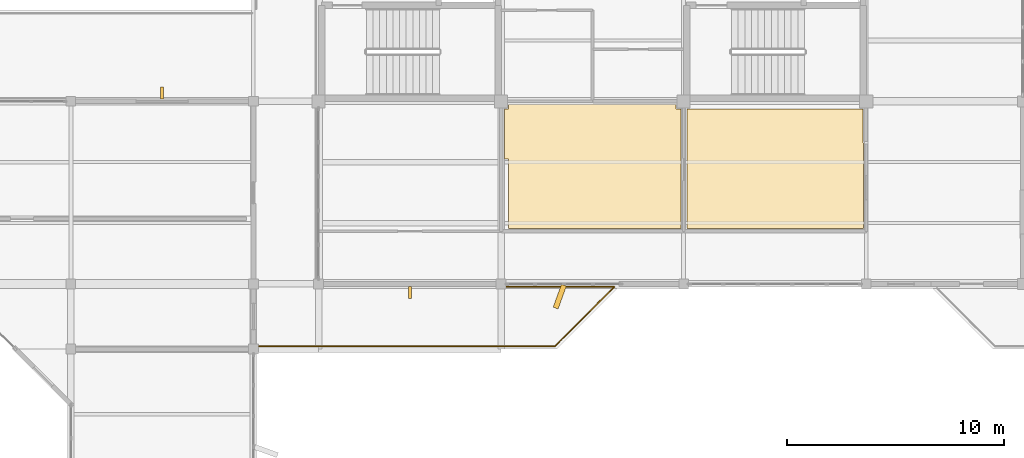
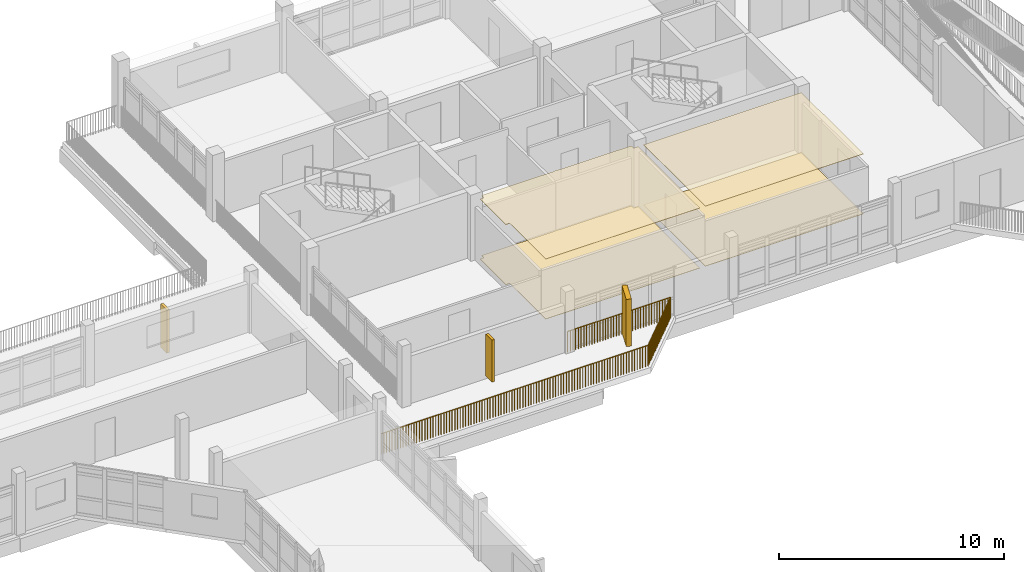
# One storey, part 26 of 33: 5 coverings, 3 railings, 2 shading devices.
"""IFC4 building model written with IfcOpenShell, lengths in metres."""

from ifc_helpers import new_model, si_unit, direction, frame, origin, origin_2d, place, context, subcontext, project, spatial, polyline, rectangle, circle, outline, extrude, material, layer, layer_set, type_object, element, save


model = new_model("IFC4")

# Units and contexts
model_context = context("Model", 3, precision=1e-05, world=origin(), true_north=direction((0.0, 1.0)))
body_context = subcontext(model_context, "Body", "Model", "MODEL_VIEW")
ifc_project = project(units=[si_unit("LENGTHUNIT", "METRE"), si_unit("AREAUNIT", "SQUARE_METRE"), si_unit("VOLUMEUNIT", "CUBIC_METRE"), si_unit("PLANEANGLEUNIT", "RADIAN"), si_unit("MASSUNIT", "GRAM", prefix="KILO")], contexts=[model_context])

# Site, building, storey
site_placement = place(None, origin())
site = spatial("IfcSite", under=ifc_project, at=site_placement, CompositionType="ELEMENT")
building_placement = place(site_placement, origin())
building = spatial("IfcBuilding", under=site, at=building_placement, Name="Vanh Quang Courtyard School", CompositionType="ELEMENT")
storey_placement = place(building_placement, frame((0.0, 0.0, 18.60009765625)))
storey = spatial("IfcBuildingStorey", under=building, at=storey_placement, Name="L05", CompositionType="ELEMENT", Elevation=18.60009765625)

# Coverings
ifc_material_1 = material(Name="Perforated mineral-fibre acoustic ceiling board")
ifc_layer_1 = layer(ifc_material_1, 0.02490234375)
ifc_layer_set_1 = layer_set([ifc_layer_1], Name="Perforated mineral-fibre acoustic ceiling board")
covering_type_1 = type_object("IfcCoveringType", Name="COV-CEIL-ACOUSTIC", PredefinedType="CEILING", material=ifc_layer_set_1)
covering_1_placement = place(storey_placement, frame((0.0, 0.0, 3.2548828125)))
element("IfcCovering", 1, at=covering_1_placement, inside=storey, type_object=covering_type_1, Name="Covering CV-CL1 (L05)", PredefinedType="CEILING", context=body_context, shape_type="SweptSolid", body=[
    extrude(outline(polyline([(85.949951171875, 79.449951171875), (86.14990234375, 79.449951171875), (86.14990234375, 79.64990234375), (89.859130859375, 79.64990234375), (89.965576171875, 79.669921875), (89.966552734375, 79.669921875), (89.96728515625, 79.669921875), (90.052490234375, 79.669921875), (90.053466796875, 79.669921875), (90.054443359375, 79.669921875), (90.160888671875, 79.64990234375), (93.85009765625, 79.64990234375), (93.85009765625, 79.449951171875), (94.070068359375, 79.449951171875), (94.070068359375, 73.9599609375), (94.070068359375, 73.958984375), (94.06982421875, 73.9580078125), (94.069580078125, 73.95703125), (94.069091796875, 73.956298828125), (94.06884765625, 73.955322265625), (94.068359375, 73.954345703125), (94.067626953125, 73.95361328125), (94.067138671875, 73.952880859375), (94.06640625, 73.952392578125), (94.065673828125, 73.95166015625), (94.064697265625, 73.951171875), (94.063720703125, 73.95068359375), (94.06298828125, 73.950439453125), (94.06201171875, 73.9501953125), (94.06103515625, 73.949951171875), (94.06005859375, 73.949951171875), (86.14990234375, 73.949951171875), (86.14990234375, 77.14990234375), (85.949951171875, 77.14990234375), (85.949951171875, 79.449951171875)])), origin(), (0.0, 0.0, 1.0), 0.02490234375),
])
covering_2_placement = place(storey_placement, frame((0.0, 0.0, 3.2548828125)))
element("IfcCovering", 2, at=covering_2_placement, inside=storey, type_object=covering_type_1, Name="Covering CV-CL1 (L05)", PredefinedType="CEILING", context=body_context, shape_type="SweptSolid", body=[
    extrude(outline(polyline([(94.34912109375, 79.449951171875), (102.449951171875, 79.449951171875), (102.449951171875, 77.94091796875), (102.4697265625, 77.83447265625), (102.469970703125, 77.83349609375), (102.469970703125, 77.83251953125), (102.469970703125, 73.9599609375), (102.469970703125, 73.958984375), (102.4697265625, 73.9580078125), (102.469482421875, 73.95703125), (102.46923828125, 73.956298828125), (102.46875, 73.955322265625), (102.46826171875, 73.954345703125), (102.4677734375, 73.95361328125), (102.467041015625, 73.952880859375), (102.46630859375, 73.952392578125), (102.465576171875, 73.95166015625), (102.464599609375, 73.951171875), (102.4638671875, 73.95068359375), (102.462890625, 73.950439453125), (102.4619140625, 73.9501953125), (102.4609375, 73.949951171875), (102.4599609375, 73.949951171875), (94.360107421875, 73.949951171875), (94.35888671875, 73.949951171875), (94.35791015625, 73.9501953125), (94.357177734375, 73.950439453125), (94.356201171875, 73.95068359375), (94.355224609375, 73.951171875), (94.3544921875, 73.95166015625), (94.353759765625, 73.952392578125), (94.352783203125, 73.952880859375), (94.352294921875, 73.95361328125), (94.351806640625, 73.954345703125), (94.351318359375, 73.955322265625), (94.350830078125, 73.956298828125), (94.350341796875, 73.95703125), (94.35009765625, 73.9580078125), (94.35009765625, 73.958984375), (94.35009765625, 73.9599609375), (94.34912109375, 79.449951171875)])), origin(), (0.0, 0.0, 1.0), 0.02490234375),
])
ifc_material_2 = material(Name="Polished cementitious terrazzo tile", Category="concrete")
ifc_layer_2 = layer(ifc_material_2, 0.02001953125)
ifc_layer_set_2 = layer_set([ifc_layer_2], Name="Polished cementitious terrazzo tile")
covering_type_2 = type_object("IfcCoveringType", Name="COV-FLR-TERRAZZO", PredefinedType="FLOORING", material=ifc_layer_set_2)
covering_3_placement = place(storey_placement, origin())
element("IfcCovering", 3, at=covering_3_placement, inside=storey, type_object=covering_type_2, Name="Covering CV-FL1 (L05)", PredefinedType="FLOORING", context=body_context, shape_type="SweptSolid", body=[
    extrude(outline(polyline([(85.949951171875, 79.449951171875), (86.14990234375, 79.449951171875), (86.14990234375, 79.64990234375), (89.859130859375, 79.64990234375), (89.965576171875, 79.669921875), (89.966552734375, 79.669921875), (89.96728515625, 79.669921875), (90.052490234375, 79.669921875), (90.053466796875, 79.669921875), (90.054443359375, 79.669921875), (90.160888671875, 79.64990234375), (93.85009765625, 79.64990234375), (93.85009765625, 79.449951171875), (94.070068359375, 79.449951171875), (94.070068359375, 73.9599609375), (94.070068359375, 73.958984375), (94.06982421875, 73.9580078125), (94.069580078125, 73.95703125), (94.069091796875, 73.956298828125), (94.06884765625, 73.955322265625), (94.068359375, 73.954345703125), (94.067626953125, 73.95361328125), (94.067138671875, 73.952880859375), (94.06640625, 73.952392578125), (94.065673828125, 73.95166015625), (94.064697265625, 73.951171875), (94.063720703125, 73.95068359375), (94.06298828125, 73.950439453125), (94.06201171875, 73.9501953125), (94.06103515625, 73.949951171875), (94.06005859375, 73.949951171875), (86.14990234375, 73.949951171875), (86.14990234375, 77.14990234375), (85.949951171875, 77.14990234375), (85.949951171875, 79.449951171875)])), origin(), (0.0, 0.0, 1.0), 0.02001953125),
])
covering_4_placement = place(storey_placement, origin())
element("IfcCovering", 4, at=covering_4_placement, inside=storey, type_object=covering_type_2, Name="Covering CV-FL1 (L05)", PredefinedType="FLOORING", context=body_context, shape_type="SweptSolid", body=[
    extrude(outline(polyline([(94.34912109375, 79.449951171875), (102.449951171875, 79.449951171875), (102.449951171875, 77.94091796875), (102.4697265625, 77.83447265625), (102.469970703125, 77.83349609375), (102.469970703125, 77.83251953125), (102.469970703125, 73.9599609375), (102.469970703125, 73.958984375), (102.4697265625, 73.9580078125), (102.469482421875, 73.95703125), (102.46923828125, 73.956298828125), (102.46875, 73.955322265625), (102.46826171875, 73.954345703125), (102.4677734375, 73.95361328125), (102.467041015625, 73.952880859375), (102.46630859375, 73.952392578125), (102.465576171875, 73.95166015625), (102.464599609375, 73.951171875), (102.4638671875, 73.95068359375), (102.462890625, 73.950439453125), (102.4619140625, 73.9501953125), (102.4609375, 73.949951171875), (102.4599609375, 73.949951171875), (94.360107421875, 73.949951171875), (94.35888671875, 73.949951171875), (94.35791015625, 73.9501953125), (94.357177734375, 73.950439453125), (94.356201171875, 73.95068359375), (94.355224609375, 73.951171875), (94.3544921875, 73.95166015625), (94.353759765625, 73.952392578125), (94.352783203125, 73.952880859375), (94.352294921875, 73.95361328125), (94.351806640625, 73.954345703125), (94.351318359375, 73.955322265625), (94.350830078125, 73.956298828125), (94.350341796875, 73.95703125), (94.35009765625, 73.9580078125), (94.35009765625, 73.958984375), (94.35009765625, 73.9599609375), (94.34912109375, 79.449951171875)])), origin(), (0.0, 0.0, 1.0), 0.02001953125),
])
ifc_material_3 = material(Name="Board-marked precast concrete C40/50", Category="concrete")
ifc_layer_3 = layer(ifc_material_3, 0.239990234375)
ifc_layer_set_3 = layer_set([ifc_layer_3], Name="Board-marked precast concrete C40/50")
covering_type_3 = type_object("IfcCoveringType", Name="COV-HOOD-CONC", PredefinedType="CLADDING", material=ifc_layer_set_3)
covering_5_placement = place(storey_placement, frame((88.49853515625, 70.81494140625, -0.000244140625), z_axis=(0.0, 0.0, 1.0), x_axis=(-0.340379550213, -0.94028812701, 0.0)))
element("IfcCovering", 5, at=covering_5_placement, inside=storey, type_object=covering_type_3, Name="Covering CH-01 (L05)", PredefinedType="CLADDING", context=body_context, shape_type="SweptSolid", body=[
    extrude(rectangle(XDim=1.11669921875, YDim=0.239990234375, at=origin_2d()), origin(), (0.0, 0.0, 1.0), 2.56005859375),
])

# Railings
ifc_material_4 = material(Name="Galvanised painted steel EN 10025-2 S355J2", Category="steel")
railing_type = type_object("IfcRailingType", Name="RAIL-GUARD-1150", PredefinedType="BALUSTRADE", material=ifc_material_4)
railing_1_placement = place(storey_placement, frame((85.7197265625, 71.260009765625, 0.0)))
element("IfcRailing", 6, at=railing_1_placement, inside=storey, type_object=railing_type, Name="Railing GR-01 (L05)", PredefinedType="BALUSTRADE", context=body_context, shape_type="SweptSolid", body=[
    extrude(circle(Radius=0.02392578125, at=origin_2d()), frame((0.0, 0.0, 1.1259765625), z_axis=(1.0, 0.0, 0.0), x_axis=(0.0, 1.0, 0.0)), (0.0, 0.0, 1.0), 5.28515625),
    extrude(circle(Radius=0.02099609375, at=origin_2d()), origin(), (0.0, 0.0, 1.0), 1.101806640625),
    extrude(circle(Radius=0.02099609375, at=origin_2d()), frame((0.13916015625, 0.0, 0.0)), (0.0, 0.0, 1.0), 1.101806640625),
    extrude(circle(Radius=0.02099609375, at=origin_2d()), frame((0.278076171875, 0.0, 0.0)), (0.0, 0.0, 1.0), 1.101806640625),
    extrude(circle(Radius=0.02099609375, at=origin_2d()), frame((0.417236328125, 0.0, 0.0)), (0.0, 0.0, 1.0), 1.101806640625),
    extrude(circle(Radius=0.02099609375, at=origin_2d()), frame((0.556396484375, 0.0, 0.0)), (0.0, 0.0, 1.0), 1.101806640625),
    extrude(circle(Radius=0.02099609375, at=origin_2d()), frame((0.6953125, 0.0, 0.0)), (0.0, 0.0, 1.0), 1.101806640625),
    extrude(circle(Radius=0.02099609375, at=origin_2d()), frame((0.83447265625, 0.0, 0.0)), (0.0, 0.0, 1.0), 1.101806640625),
    extrude(circle(Radius=0.02099609375, at=origin_2d()), frame((0.9736328125, 0.0, 0.0)), (0.0, 0.0, 1.0), 1.101806640625),
    extrude(circle(Radius=0.02099609375, at=origin_2d()), frame((1.112548828125, 0.0, 0.0)), (0.0, 0.0, 1.0), 1.101806640625),
    extrude(circle(Radius=0.02099609375, at=origin_2d()), frame((1.251708984375, 0.0, 0.0)), (0.0, 0.0, 1.0), 1.101806640625),
    extrude(circle(Radius=0.02099609375, at=origin_2d()), frame((1.390869140625, 0.0, 0.0)), (0.0, 0.0, 1.0), 1.101806640625),
    extrude(circle(Radius=0.02099609375, at=origin_2d()), frame((1.530029296875, 0.0, 0.0)), (0.0, 0.0, 1.0), 1.101806640625),
    extrude(circle(Radius=0.02099609375, at=origin_2d()), frame((1.6689453125, 0.0, 0.0)), (0.0, 0.0, 1.0), 1.101806640625),
    extrude(circle(Radius=0.02099609375, at=origin_2d()), frame((1.80810546875, 0.0, 0.0)), (0.0, 0.0, 1.0), 1.101806640625),
    extrude(circle(Radius=0.02099609375, at=origin_2d()), frame((1.947265625, 0.0, 0.0)), (0.0, 0.0, 1.0), 1.101806640625),
    extrude(circle(Radius=0.02099609375, at=origin_2d()), frame((2.086181640625, 0.0, 0.0)), (0.0, 0.0, 1.0), 1.101806640625),
    extrude(circle(Radius=0.02099609375, at=origin_2d()), frame((2.225341796875, 0.0, 0.0)), (0.0, 0.0, 1.0), 1.101806640625),
    extrude(circle(Radius=0.02099609375, at=origin_2d()), frame((2.364501953125, 0.0, 0.0)), (0.0, 0.0, 1.0), 1.101806640625),
    extrude(circle(Radius=0.02099609375, at=origin_2d()), frame((2.50341796875, 0.0, 0.0)), (0.0, 0.0, 1.0), 1.101806640625),
    extrude(circle(Radius=0.02099609375, at=origin_2d()), frame((2.642578125, 0.0, 0.0)), (0.0, 0.0, 1.0), 1.101806640625),
    extrude(circle(Radius=0.02099609375, at=origin_2d()), frame((2.78173828125, 0.0, 0.0)), (0.0, 0.0, 1.0), 1.101806640625),
    extrude(circle(Radius=0.02099609375, at=origin_2d()), frame((2.920654296875, 0.0, 0.0)), (0.0, 0.0, 1.0), 1.101806640625),
    extrude(circle(Radius=0.02099609375, at=origin_2d()), frame((3.059814453125, 0.0, 0.0)), (0.0, 0.0, 1.0), 1.101806640625),
    extrude(circle(Radius=0.02099609375, at=origin_2d()), frame((3.198974609375, 0.0, 0.0)), (0.0, 0.0, 1.0), 1.101806640625),
    extrude(circle(Radius=0.02099609375, at=origin_2d()), frame((3.337890625, 0.0, 0.0)), (0.0, 0.0, 1.0), 1.101806640625),
    extrude(circle(Radius=0.02099609375, at=origin_2d()), frame((3.47705078125, 0.0, 0.0)), (0.0, 0.0, 1.0), 1.101806640625),
    extrude(circle(Radius=0.02099609375, at=origin_2d()), frame((3.6162109375, 0.0, 0.0)), (0.0, 0.0, 1.0), 1.101806640625),
    extrude(circle(Radius=0.02099609375, at=origin_2d()), frame((3.755126953125, 0.0, 0.0)), (0.0, 0.0, 1.0), 1.101806640625),
    extrude(circle(Radius=0.02099609375, at=origin_2d()), frame((3.894287109375, 0.0, 0.0)), (0.0, 0.0, 1.0), 1.101806640625),
    extrude(circle(Radius=0.02099609375, at=origin_2d()), frame((4.033447265625, 0.0, 0.0)), (0.0, 0.0, 1.0), 1.101806640625),
    extrude(circle(Radius=0.02099609375, at=origin_2d()), frame((4.172607421875, 0.0, 0.0)), (0.0, 0.0, 1.0), 1.101806640625),
    extrude(circle(Radius=0.02099609375, at=origin_2d()), frame((4.3115234375, 0.0, 0.0)), (0.0, 0.0, 1.0), 1.101806640625),
    extrude(circle(Radius=0.02099609375, at=origin_2d()), frame((4.45068359375, 0.0, 0.0)), (0.0, 0.0, 1.0), 1.101806640625),
    extrude(circle(Radius=0.02099609375, at=origin_2d()), frame((4.58984375, 0.0, 0.0)), (0.0, 0.0, 1.0), 1.101806640625),
    extrude(circle(Radius=0.02099609375, at=origin_2d()), frame((4.728759765625, 0.0, 0.0)), (0.0, 0.0, 1.0), 1.101806640625),
    extrude(circle(Radius=0.02099609375, at=origin_2d()), frame((4.867919921875, 0.0, 0.0)), (0.0, 0.0, 1.0), 1.101806640625),
    extrude(circle(Radius=0.02099609375, at=origin_2d()), frame((5.007080078125, 0.0, 0.0)), (0.0, 0.0, 1.0), 1.101806640625),
    extrude(circle(Radius=0.02099609375, at=origin_2d()), frame((5.14599609375, 0.0, 0.0)), (0.0, 0.0, 1.0), 1.101806640625),
    extrude(circle(Radius=0.02099609375, at=origin_2d()), frame((5.28515625, 0.0, 0.0)), (0.0, 0.0, 1.0), 1.101806640625),
])
railing_2_placement = place(storey_placement, frame((91.0048828125, 71.260009765625, 0.0)))
element("IfcRailing", 7, at=railing_2_placement, inside=storey, type_object=railing_type, Name="Railing GR-01 (L05)", PredefinedType="BALUSTRADE", context=body_context, shape_type="SweptSolid", body=[
    extrude(circle(Radius=0.02392578125, at=origin_2d()), frame((0.0, 0.0, 1.1259765625), z_axis=(-0.706979809241, -0.707233730336, 0.0), x_axis=(0.707233730336, -0.706979809241, 0.0)), (0.0, 0.0, 1.0), 3.845947265625),
    extrude(circle(Radius=0.02099609375, at=origin_2d()), origin(), (0.0, 0.0, 1.0), 1.101806640625),
    extrude(circle(Radius=0.02099609375, at=origin_2d()), frame((-0.09716796875, -0.09716796875, 0.0)), (0.0, 0.0, 1.0), 1.101806640625),
    extrude(circle(Radius=0.02099609375, at=origin_2d()), frame((-0.1943359375, -0.1943359375, 0.0)), (0.0, 0.0, 1.0), 1.101806640625),
    extrude(circle(Radius=0.02099609375, at=origin_2d()), frame((-0.291259765625, -0.29150390625, 0.0)), (0.0, 0.0, 1.0), 1.101806640625),
    extrude(circle(Radius=0.02099609375, at=origin_2d()), frame((-0.388427734375, -0.388671875, 0.0)), (0.0, 0.0, 1.0), 1.101806640625),
    extrude(circle(Radius=0.02099609375, at=origin_2d()), frame((-0.485595703125, -0.485595703125, 0.0)), (0.0, 0.0, 1.0), 1.101806640625),
    extrude(circle(Radius=0.02099609375, at=origin_2d()), frame((-0.58251953125, -0.582763671875, 0.0)), (0.0, 0.0, 1.0), 1.101806640625),
    extrude(circle(Radius=0.02099609375, at=origin_2d()), frame((-0.6796875, -0.679931640625, 0.0)), (0.0, 0.0, 1.0), 1.101806640625),
    extrude(circle(Radius=0.02099609375, at=origin_2d()), frame((-0.77685546875, -0.777099609375, 0.0)), (0.0, 0.0, 1.0), 1.101806640625),
    extrude(circle(Radius=0.02099609375, at=origin_2d()), frame((-0.8740234375, -0.874267578125, 0.0)), (0.0, 0.0, 1.0), 1.101806640625),
    extrude(circle(Radius=0.02099609375, at=origin_2d()), frame((-0.97119140625, -0.971435546875, 0.0)), (0.0, 0.0, 1.0), 1.101806640625),
    extrude(circle(Radius=0.02099609375, at=origin_2d()), frame((-1.068115234375, -1.068603515625, 0.0)), (0.0, 0.0, 1.0), 1.101806640625),
    extrude(circle(Radius=0.02099609375, at=origin_2d()), frame((-1.165283203125, -1.165771484375, 0.0)), (0.0, 0.0, 1.0), 1.101806640625),
    extrude(circle(Radius=0.02099609375, at=origin_2d()), frame((-1.262451171875, -1.262939453125, 0.0)), (0.0, 0.0, 1.0), 1.101806640625),
    extrude(circle(Radius=0.02099609375, at=origin_2d()), frame((-1.359375, -1.35986328125, 0.0)), (0.0, 0.0, 1.0), 1.101806640625),
    extrude(circle(Radius=0.02099609375, at=origin_2d()), frame((-1.45654296875, -1.45703125, 0.0)), (0.0, 0.0, 1.0), 1.101806640625),
    extrude(circle(Radius=0.02099609375, at=origin_2d()), frame((-1.5537109375, -1.55419921875, 0.0)), (0.0, 0.0, 1.0), 1.101806640625),
    extrude(circle(Radius=0.02099609375, at=origin_2d()), frame((-1.65087890625, -1.6513671875, 0.0)), (0.0, 0.0, 1.0), 1.101806640625),
    extrude(circle(Radius=0.02099609375, at=origin_2d()), frame((-1.748046875, -1.74853515625, 0.0)), (0.0, 0.0, 1.0), 1.101806640625),
    extrude(circle(Radius=0.02099609375, at=origin_2d()), frame((-1.844970703125, -1.845703125, 0.0)), (0.0, 0.0, 1.0), 1.101806640625),
    extrude(circle(Radius=0.02099609375, at=origin_2d()), frame((-1.942138671875, -1.94287109375, 0.0)), (0.0, 0.0, 1.0), 1.101806640625),
    extrude(circle(Radius=0.02099609375, at=origin_2d()), frame((-2.039306640625, -2.0400390625, 0.0)), (0.0, 0.0, 1.0), 1.101806640625),
    extrude(circle(Radius=0.02099609375, at=origin_2d()), frame((-2.13623046875, -2.13720703125, 0.0)), (0.0, 0.0, 1.0), 1.101806640625),
    extrude(circle(Radius=0.02099609375, at=origin_2d()), frame((-2.2333984375, -2.234375, 0.0)), (0.0, 0.0, 1.0), 1.101806640625),
    extrude(circle(Radius=0.02099609375, at=origin_2d()), frame((-2.33056640625, -2.331298828125, 0.0)), (0.0, 0.0, 1.0), 1.101806640625),
    extrude(circle(Radius=0.02099609375, at=origin_2d()), frame((-2.427734375, -2.428466796875, 0.0)), (0.0, 0.0, 1.0), 1.101806640625),
    extrude(circle(Radius=0.02099609375, at=origin_2d()), frame((-2.52490234375, -2.525634765625, 0.0)), (0.0, 0.0, 1.0), 1.101806640625),
    extrude(circle(Radius=0.02099609375, at=origin_2d()), frame((-2.621826171875, -2.622802734375, 0.0)), (0.0, 0.0, 1.0), 1.101806640625),
    extrude(circle(Radius=0.02099609375, at=origin_2d()), frame((-2.718994140625, -2.719970703125, 0.0)), (0.0, 0.0, 1.0), 1.101806640625),
])
railing_3_placement = place(storey_placement, frame((88.285888671875, 68.5400390625, 0.0)))
element("IfcRailing", 8, at=railing_3_placement, inside=storey, type_object=railing_type, Name="Railing GR-01 (L05)", PredefinedType="BALUSTRADE", context=body_context, shape_type="SweptSolid", body=[
    extrude(circle(Radius=0.02392578125, at=origin_2d()), frame((0.0, 0.0, 1.1259765625), z_axis=(-1.0, 0.0, 0.0), x_axis=(0.0, -1.0, 0.0)), (0.0, 0.0, 1.0), 13.7041015625),
    extrude(circle(Radius=0.02099609375, at=origin_2d()), origin(), (0.0, 0.0, 1.0), 1.101806640625),
    extrude(circle(Radius=0.02099609375, at=origin_2d()), frame((-0.139892578125, 0.0, 0.0)), (0.0, 0.0, 1.0), 1.101806640625),
    extrude(circle(Radius=0.02099609375, at=origin_2d()), frame((-0.27978515625, 0.0, 0.0)), (0.0, 0.0, 1.0), 1.101806640625),
    extrude(circle(Radius=0.02099609375, at=origin_2d()), frame((-0.41943359375, 0.0, 0.0)), (0.0, 0.0, 1.0), 1.101806640625),
    extrude(circle(Radius=0.02099609375, at=origin_2d()), frame((-0.559326171875, 0.0, 0.0)), (0.0, 0.0, 1.0), 1.101806640625),
    extrude(circle(Radius=0.02099609375, at=origin_2d()), frame((-0.69921875, 0.0, 0.0)), (0.0, 0.0, 1.0), 1.101806640625),
    extrude(circle(Radius=0.02099609375, at=origin_2d()), frame((-0.839111328125, 0.0, 0.0)), (0.0, 0.0, 1.0), 1.101806640625),
    extrude(circle(Radius=0.02099609375, at=origin_2d()), frame((-0.978759765625, 0.0, 0.0)), (0.0, 0.0, 1.0), 1.101806640625),
    extrude(circle(Radius=0.02099609375, at=origin_2d()), frame((-1.11865234375, 0.0, 0.0)), (0.0, 0.0, 1.0), 1.101806640625),
    extrude(circle(Radius=0.02099609375, at=origin_2d()), frame((-1.258544921875, 0.0, 0.0)), (0.0, 0.0, 1.0), 1.101806640625),
    extrude(circle(Radius=0.02099609375, at=origin_2d()), frame((-1.3984375, 0.0, 0.0)), (0.0, 0.0, 1.0), 1.101806640625),
    extrude(circle(Radius=0.02099609375, at=origin_2d()), frame((-1.538330078125, 0.0, 0.0)), (0.0, 0.0, 1.0), 1.101806640625),
    extrude(circle(Radius=0.02099609375, at=origin_2d()), frame((-1.677978515625, 0.0, 0.0)), (0.0, 0.0, 1.0), 1.101806640625),
    extrude(circle(Radius=0.02099609375, at=origin_2d()), frame((-1.81787109375, 0.0, 0.0)), (0.0, 0.0, 1.0), 1.101806640625),
    extrude(circle(Radius=0.02099609375, at=origin_2d()), frame((-1.957763671875, 0.0, 0.0)), (0.0, 0.0, 1.0), 1.101806640625),
    extrude(circle(Radius=0.02099609375, at=origin_2d()), frame((-2.09765625, 0.0, 0.0)), (0.0, 0.0, 1.0), 1.101806640625),
    extrude(circle(Radius=0.02099609375, at=origin_2d()), frame((-2.2373046875, 0.0, 0.0)), (0.0, 0.0, 1.0), 1.101806640625),
    extrude(circle(Radius=0.02099609375, at=origin_2d()), frame((-2.377197265625, 0.0, 0.0)), (0.0, 0.0, 1.0), 1.101806640625),
    extrude(circle(Radius=0.02099609375, at=origin_2d()), frame((-2.51708984375, 0.0, 0.0)), (0.0, 0.0, 1.0), 1.101806640625),
    extrude(circle(Radius=0.02099609375, at=origin_2d()), frame((-2.656982421875, 0.0, 0.0)), (0.0, 0.0, 1.0), 1.101806640625),
    extrude(circle(Radius=0.02099609375, at=origin_2d()), frame((-2.796875, 0.0, 0.0)), (0.0, 0.0, 1.0), 1.101806640625),
    extrude(circle(Radius=0.02099609375, at=origin_2d()), frame((-2.9365234375, 0.0, 0.0)), (0.0, 0.0, 1.0), 1.101806640625),
    extrude(circle(Radius=0.02099609375, at=origin_2d()), frame((-3.076416015625, 0.0, 0.0)), (0.0, 0.0, 1.0), 1.101806640625),
    extrude(circle(Radius=0.02099609375, at=origin_2d()), frame((-3.21630859375, 0.0, 0.0)), (0.0, 0.0, 1.0), 1.101806640625),
    extrude(circle(Radius=0.02099609375, at=origin_2d()), frame((-3.356201171875, 0.0, 0.0)), (0.0, 0.0, 1.0), 1.101806640625),
    extrude(circle(Radius=0.02099609375, at=origin_2d()), frame((-3.495849609375, 0.0, 0.0)), (0.0, 0.0, 1.0), 1.101806640625),
    extrude(circle(Radius=0.02099609375, at=origin_2d()), frame((-3.6357421875, 0.0, 0.0)), (0.0, 0.0, 1.0), 1.101806640625),
    extrude(circle(Radius=0.02099609375, at=origin_2d()), frame((-3.775634765625, 0.0, 0.0)), (0.0, 0.0, 1.0), 1.101806640625),
    extrude(circle(Radius=0.02099609375, at=origin_2d()), frame((-3.91552734375, 0.0, 0.0)), (0.0, 0.0, 1.0), 1.101806640625),
    extrude(circle(Radius=0.02099609375, at=origin_2d()), frame((-4.05517578125, 0.0, 0.0)), (0.0, 0.0, 1.0), 1.101806640625),
    extrude(circle(Radius=0.02099609375, at=origin_2d()), frame((-4.195068359375, 0.0, 0.0)), (0.0, 0.0, 1.0), 1.101806640625),
    extrude(circle(Radius=0.02099609375, at=origin_2d()), frame((-4.3349609375, 0.0, 0.0)), (0.0, 0.0, 1.0), 1.101806640625),
    extrude(circle(Radius=0.02099609375, at=origin_2d()), frame((-4.474853515625, 0.0, 0.0)), (0.0, 0.0, 1.0), 1.101806640625),
    extrude(circle(Radius=0.02099609375, at=origin_2d()), frame((-4.61474609375, 0.0, 0.0)), (0.0, 0.0, 1.0), 1.101806640625),
    extrude(circle(Radius=0.02099609375, at=origin_2d()), frame((-4.75439453125, 0.0, 0.0)), (0.0, 0.0, 1.0), 1.101806640625),
    extrude(circle(Radius=0.02099609375, at=origin_2d()), frame((-4.894287109375, 0.0, 0.0)), (0.0, 0.0, 1.0), 1.101806640625),
    extrude(circle(Radius=0.02099609375, at=origin_2d()), frame((-5.0341796875, 0.0, 0.0)), (0.0, 0.0, 1.0), 1.101806640625),
    extrude(circle(Radius=0.02099609375, at=origin_2d()), frame((-5.174072265625, 0.0, 0.0)), (0.0, 0.0, 1.0), 1.101806640625),
    extrude(circle(Radius=0.02099609375, at=origin_2d()), frame((-5.313720703125, 0.0, 0.0)), (0.0, 0.0, 1.0), 1.101806640625),
    extrude(circle(Radius=0.02099609375, at=origin_2d()), frame((-5.45361328125, 0.0, 0.0)), (0.0, 0.0, 1.0), 1.101806640625),
    extrude(circle(Radius=0.02099609375, at=origin_2d()), frame((-5.593505859375, 0.0, 0.0)), (0.0, 0.0, 1.0), 1.101806640625),
    extrude(circle(Radius=0.02099609375, at=origin_2d()), frame((-5.7333984375, 0.0, 0.0)), (0.0, 0.0, 1.0), 1.101806640625),
    extrude(circle(Radius=0.02099609375, at=origin_2d()), frame((-5.873291015625, 0.0, 0.0)), (0.0, 0.0, 1.0), 1.101806640625),
    extrude(circle(Radius=0.02099609375, at=origin_2d()), frame((-6.012939453125, 0.0, 0.0)), (0.0, 0.0, 1.0), 1.101806640625),
    extrude(circle(Radius=0.02099609375, at=origin_2d()), frame((-6.15283203125, 0.0, 0.0)), (0.0, 0.0, 1.0), 1.101806640625),
    extrude(circle(Radius=0.02099609375, at=origin_2d()), frame((-6.292724609375, 0.0, 0.0)), (0.0, 0.0, 1.0), 1.101806640625),
    extrude(circle(Radius=0.02099609375, at=origin_2d()), frame((-6.4326171875, 0.0, 0.0)), (0.0, 0.0, 1.0), 1.101806640625),
    extrude(circle(Radius=0.02099609375, at=origin_2d()), frame((-6.572265625, 0.0, 0.0)), (0.0, 0.0, 1.0), 1.101806640625),
    extrude(circle(Radius=0.02099609375, at=origin_2d()), frame((-6.712158203125, 0.0, 0.0)), (0.0, 0.0, 1.0), 1.101806640625),
    extrude(circle(Radius=0.02099609375, at=origin_2d()), frame((-6.85205078125, 0.0, 0.0)), (0.0, 0.0, 1.0), 1.101806640625),
    extrude(circle(Radius=0.02099609375, at=origin_2d()), frame((-6.991943359375, 0.0, 0.0)), (0.0, 0.0, 1.0), 1.101806640625),
    extrude(circle(Radius=0.02099609375, at=origin_2d()), frame((-7.1318359375, 0.0, 0.0)), (0.0, 0.0, 1.0), 1.101806640625),
    extrude(circle(Radius=0.02099609375, at=origin_2d()), frame((-7.271484375, 0.0, 0.0)), (0.0, 0.0, 1.0), 1.101806640625),
    extrude(circle(Radius=0.02099609375, at=origin_2d()), frame((-7.411376953125, 0.0, 0.0)), (0.0, 0.0, 1.0), 1.101806640625),
    extrude(circle(Radius=0.02099609375, at=origin_2d()), frame((-7.55126953125, 0.0, 0.0)), (0.0, 0.0, 1.0), 1.101806640625),
    extrude(circle(Radius=0.02099609375, at=origin_2d()), frame((-7.691162109375, 0.0, 0.0)), (0.0, 0.0, 1.0), 1.101806640625),
    extrude(circle(Radius=0.02099609375, at=origin_2d()), frame((-7.830810546875, 0.0, 0.0)), (0.0, 0.0, 1.0), 1.101806640625),
    extrude(circle(Radius=0.02099609375, at=origin_2d()), frame((-7.970703125, 0.0, 0.0)), (0.0, 0.0, 1.0), 1.101806640625),
    extrude(circle(Radius=0.02099609375, at=origin_2d()), frame((-8.110595703125, 0.0, 0.0)), (0.0, 0.0, 1.0), 1.101806640625),
    extrude(circle(Radius=0.02099609375, at=origin_2d()), frame((-8.25048828125, 0.0, 0.0)), (0.0, 0.0, 1.0), 1.101806640625),
    extrude(circle(Radius=0.02099609375, at=origin_2d()), frame((-8.390380859375, 0.0, 0.0)), (0.0, 0.0, 1.0), 1.101806640625),
    extrude(circle(Radius=0.02099609375, at=origin_2d()), frame((-8.530029296875, 0.0, 0.0)), (0.0, 0.0, 1.0), 1.101806640625),
    extrude(circle(Radius=0.02099609375, at=origin_2d()), frame((-8.669921875, 0.0, 0.0)), (0.0, 0.0, 1.0), 1.101806640625),
    extrude(circle(Radius=0.02099609375, at=origin_2d()), frame((-8.809814453125, 0.0, 0.0)), (0.0, 0.0, 1.0), 1.101806640625),
    extrude(circle(Radius=0.02099609375, at=origin_2d()), frame((-8.94970703125, 0.0, 0.0)), (0.0, 0.0, 1.0), 1.101806640625),
    extrude(circle(Radius=0.02099609375, at=origin_2d()), frame((-9.08935546875, 0.0, 0.0)), (0.0, 0.0, 1.0), 1.101806640625),
    extrude(circle(Radius=0.02099609375, at=origin_2d()), frame((-9.229248046875, 0.0, 0.0)), (0.0, 0.0, 1.0), 1.101806640625),
    extrude(circle(Radius=0.02099609375, at=origin_2d()), frame((-9.369140625, 0.0, 0.0)), (0.0, 0.0, 1.0), 1.101806640625),
    extrude(circle(Radius=0.02099609375, at=origin_2d()), frame((-9.509033203125, 0.0, 0.0)), (0.0, 0.0, 1.0), 1.101806640625),
    extrude(circle(Radius=0.02099609375, at=origin_2d()), frame((-9.64892578125, 0.0, 0.0)), (0.0, 0.0, 1.0), 1.101806640625),
    extrude(circle(Radius=0.02099609375, at=origin_2d()), frame((-9.78857421875, 0.0, 0.0)), (0.0, 0.0, 1.0), 1.101806640625),
    extrude(circle(Radius=0.02099609375, at=origin_2d()), frame((-9.928466796875, 0.0, 0.0)), (0.0, 0.0, 1.0), 1.101806640625),
    extrude(circle(Radius=0.02099609375, at=origin_2d()), frame((-10.068359375, 0.0, 0.0)), (0.0, 0.0, 1.0), 1.101806640625),
    extrude(circle(Radius=0.02099609375, at=origin_2d()), frame((-10.208251953125, 0.0, 0.0)), (0.0, 0.0, 1.0), 1.101806640625),
    extrude(circle(Radius=0.02099609375, at=origin_2d()), frame((-10.347900390625, 0.0, 0.0)), (0.0, 0.0, 1.0), 1.101806640625),
    extrude(circle(Radius=0.02099609375, at=origin_2d()), frame((-10.48779296875, 0.0, 0.0)), (0.0, 0.0, 1.0), 1.101806640625),
    extrude(circle(Radius=0.02099609375, at=origin_2d()), frame((-10.627685546875, 0.0, 0.0)), (0.0, 0.0, 1.0), 1.101806640625),
    extrude(circle(Radius=0.02099609375, at=origin_2d()), frame((-10.767578125, 0.0, 0.0)), (0.0, 0.0, 1.0), 1.101806640625),
    extrude(circle(Radius=0.02099609375, at=origin_2d()), frame((-10.9072265625, 0.0, 0.0)), (0.0, 0.0, 1.0), 1.101806640625),
    extrude(circle(Radius=0.02099609375, at=origin_2d()), frame((-11.047119140625, 0.0, 0.0)), (0.0, 0.0, 1.0), 1.101806640625),
    extrude(circle(Radius=0.02099609375, at=origin_2d()), frame((-11.18701171875, 0.0, 0.0)), (0.0, 0.0, 1.0), 1.101806640625),
    extrude(circle(Radius=0.02099609375, at=origin_2d()), frame((-11.326904296875, 0.0, 0.0)), (0.0, 0.0, 1.0), 1.101806640625),
    extrude(circle(Radius=0.02099609375, at=origin_2d()), frame((-11.466796875, 0.0, 0.0)), (0.0, 0.0, 1.0), 1.101806640625),
    extrude(circle(Radius=0.02099609375, at=origin_2d()), frame((-11.6064453125, 0.0, 0.0)), (0.0, 0.0, 1.0), 1.101806640625),
    extrude(circle(Radius=0.02099609375, at=origin_2d()), frame((-11.746337890625, 0.0, 0.0)), (0.0, 0.0, 1.0), 1.101806640625),
    extrude(circle(Radius=0.02099609375, at=origin_2d()), frame((-11.88623046875, 0.0, 0.0)), (0.0, 0.0, 1.0), 1.101806640625),
    extrude(circle(Radius=0.02099609375, at=origin_2d()), frame((-12.026123046875, 0.0, 0.0)), (0.0, 0.0, 1.0), 1.101806640625),
    extrude(circle(Radius=0.02099609375, at=origin_2d()), frame((-12.165771484375, 0.0, 0.0)), (0.0, 0.0, 1.0), 1.101806640625),
    extrude(circle(Radius=0.02099609375, at=origin_2d()), frame((-12.3056640625, 0.0, 0.0)), (0.0, 0.0, 1.0), 1.101806640625),
    extrude(circle(Radius=0.02099609375, at=origin_2d()), frame((-12.445556640625, 0.0, 0.0)), (0.0, 0.0, 1.0), 1.101806640625),
    extrude(circle(Radius=0.02099609375, at=origin_2d()), frame((-12.58544921875, 0.0, 0.0)), (0.0, 0.0, 1.0), 1.101806640625),
    extrude(circle(Radius=0.02099609375, at=origin_2d()), frame((-12.725341796875, 0.0, 0.0)), (0.0, 0.0, 1.0), 1.101806640625),
    extrude(circle(Radius=0.02099609375, at=origin_2d()), frame((-12.864990234375, 0.0, 0.0)), (0.0, 0.0, 1.0), 1.101806640625),
    extrude(circle(Radius=0.02099609375, at=origin_2d()), frame((-13.0048828125, 0.0, 0.0)), (0.0, 0.0, 1.0), 1.101806640625),
    extrude(circle(Radius=0.02099609375, at=origin_2d()), frame((-13.144775390625, 0.0, 0.0)), (0.0, 0.0, 1.0), 1.101806640625),
    extrude(circle(Radius=0.02099609375, at=origin_2d()), frame((-13.28466796875, 0.0, 0.0)), (0.0, 0.0, 1.0), 1.101806640625),
    extrude(circle(Radius=0.02099609375, at=origin_2d()), frame((-13.42431640625, 0.0, 0.0)), (0.0, 0.0, 1.0), 1.101806640625),
    extrude(circle(Radius=0.02099609375, at=origin_2d()), frame((-13.564208984375, 0.0, 0.0)), (0.0, 0.0, 1.0), 1.101806640625),
    extrude(circle(Radius=0.02099609375, at=origin_2d()), frame((-13.7041015625, 0.0, 0.0)), (0.0, 0.0, 1.0), 1.101806640625),
])

# Shading devices
shading_device_type = type_object("IfcShadingDeviceType", Name="SHD-FIN-CONCRETE", PredefinedType="USERDEFINED", material=ifc_material_3)
shading_device_1_placement = place(storey_placement, frame((70.199951171875, 80.18505859375, 0.14990234375), z_axis=(0.0, 0.0, 1.0), x_axis=(1.0, 0.0, 0.0)))
element("IfcShadingDevice", 9, at=shading_device_1_placement, inside=storey, type_object=shading_device_type, Name="Solar Shading SH-02 (L05)", ObjectType="Solar Shading SH-02 (L05)", PredefinedType="USERDEFINED", context=body_context, shape_type="SweptSolid", body=[
    extrude(rectangle(XDim=0.139892578125, YDim=0.550048828125, at=origin_2d()), origin(), (0.0, 0.0, 1.0), 2.35009765625),
])
shading_device_2_placement = place(storey_placement, frame((81.60009765625, 71.014892578125, 0.14990234375), z_axis=(0.0, 0.0, 1.0), x_axis=(-1.0, 0.0, 0.0)))
element("IfcShadingDevice", 10, at=shading_device_2_placement, inside=storey, type_object=shading_device_type, Name="Solar Shading SH-02 (L05)", ObjectType="Solar Shading SH-02 (L05)", PredefinedType="USERDEFINED", context=body_context, shape_type="SweptSolid", body=[
    extrude(rectangle(XDim=0.139892578125, YDim=0.550048828125, at=origin_2d()), origin(), (0.0, 0.0, 1.0), 2.280029296875),
])

save(model, "model.ifc")
